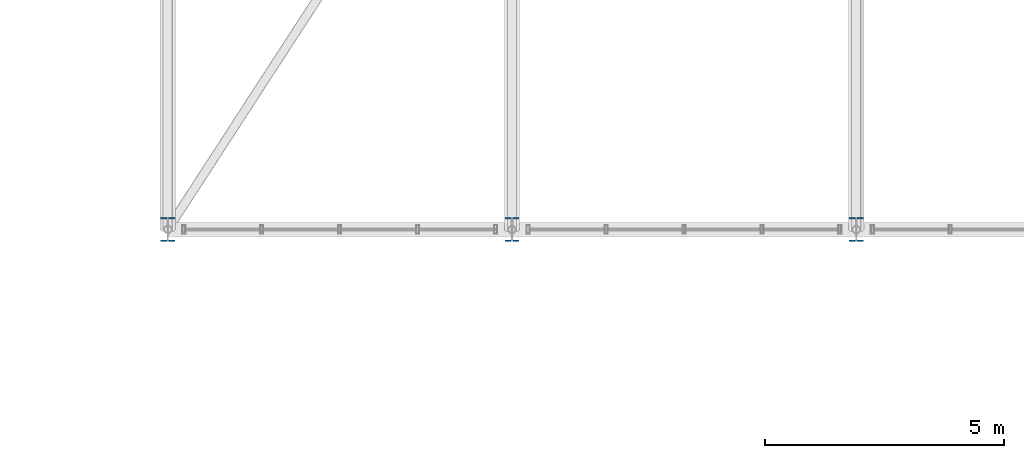
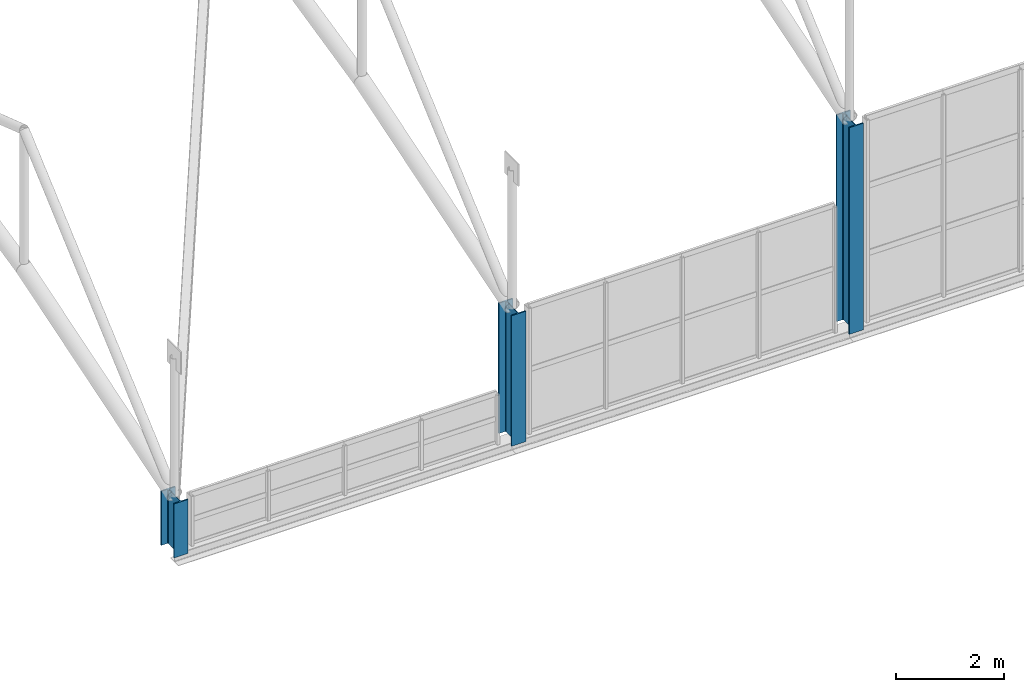
# One storey, part 2 of 153: 3 columns.
"""IFC4 building model written with IfcOpenShell, lengths in metres."""

import ifcopenshell
import ifcopenshell.guid

model = None  # the IFC model being written
_history = None  # IfcOwnerHistory: only IFC2X3 demands one
_inside = {}  # id of a spatial element -> (the spatial element, [elements in it])
_under = {}  # id of a project, library or spatial element -> (it, [spatial elements below it])
_declared = {}  # id of a project -> (the project, [libraries it declares])
_typed = {}  # id of a type object -> (the type object, [elements of that type])
_made_of = {}  # id of a material, layer set ... -> (it, [elements and type objects made of it])


def new_model(schema):
    """Start an empty IFC model of exactly this schema.

    Asked for "IFC4X3", IfcOpenShell would pick the latest addendum, in which some entities
    have other attributes; the version numbers below select the first issue.
    IFC2X3 requires an IfcOwnerHistory on every rooted entity: one is made here for all.
    """
    global model, _history
    if schema == "IFC4X3":
        model = ifcopenshell.file(schema_version=(4, 3, 0, 0))
    else:
        model = ifcopenshell.file(schema=schema)
    _inside.clear()
    _under.clear()
    _declared.clear()
    _typed.clear()
    _made_of.clear()
    _history = None
    if model.schema == "IFC2X3":
        org = make("IfcOrganization", Name="unknown")
        user = make(
            "IfcPersonAndOrganization",
            ThePerson=make("IfcPerson", FamilyName="unknown"),
            TheOrganization=org,
        )
        app = make(
            "IfcApplication",
            ApplicationDeveloper=org,
            Version="unknown",
            ApplicationFullName="unknown",
            ApplicationIdentifier="unknown",
        )
        _history = make(
            "IfcOwnerHistory",
            OwningUser=user,
            OwningApplication=app,
            ChangeAction="ADDED",
            CreationDate=0,
        )
    return model


def make(cls, **values):
    """One entity of the class cls with the attributes given. An attribute that is None is left unset."""
    return model.create_entity(
        cls, **{name: value for name, value in values.items() if value is not None}
    )


def rooted(cls, **values):
    """An entity with a GlobalId (a new one), such as an element, a storey or a relation."""
    return make(cls, GlobalId=ifcopenshell.guid.new(), OwnerHistory=_history, **values)


def si_unit(unit_type, name, prefix=None):
    """IfcSIUnit, for example si_unit("LENGTHUNIT", "METRE", prefix="MILLI")."""
    return make("IfcSIUnit", UnitType=unit_type, Prefix=prefix, Name=name)


def derived_unit(unit_type, elements):
    """IfcDerivedUnit: a product of units, each with its exponent."""
    return make(
        "IfcDerivedUnit",
        Elements=[
            make("IfcDerivedUnitElement", Unit=unit, Exponent=power)
            for unit, power in elements
        ],
        UnitType=unit_type,
    )


def assignment(units):
    """IfcUnitAssignment: the units of a project."""
    return None if units is None else make("IfcUnitAssignment", Units=units)


def point(xyz):
    """IfcCartesianPoint."""
    return None if xyz is None else make("IfcCartesianPoint", Coordinates=xyz)


def direction(xyz):
    """IfcDirection."""
    return None if xyz is None else make("IfcDirection", DirectionRatios=xyz)


def frame(location, z_axis=None, x_axis=None):
    """IfcAxis2Placement3D, a coordinate frame: its origin and axes. An axis left out is left unset."""
    return make(
        "IfcAxis2Placement3D",
        Location=point(location),
        Axis=direction(z_axis),
        RefDirection=direction(x_axis),
    )


def frame_2d(location, x_axis=None):
    """IfcAxis2Placement2D, a coordinate frame in the plane: its origin and x axis."""
    return make(
        "IfcAxis2Placement2D", Location=point(location), RefDirection=direction(x_axis)
    )


def origin():
    """The frame at (0, 0, 0) with its axes left unset."""
    return frame((0.0, 0.0, 0.0))


def origin_2d():
    """The frame at (0, 0) in the plane with its x axis left unset."""
    return frame_2d((0.0, 0.0))


def place(relative_to, where):
    """IfcLocalPlacement: puts the frame where relative to a parent placement (None: the world)."""
    return make(
        "IfcLocalPlacement", PlacementRelTo=relative_to, RelativePlacement=where
    )


def context(
    kind, dimensions, precision=None, world=None, true_north=None, identifier=None
):
    """IfcGeometricRepresentationContext, for example the 3D "Model" context."""
    return make(
        "IfcGeometricRepresentationContext",
        ContextIdentifier=identifier,
        ContextType=kind,
        CoordinateSpaceDimension=dimensions,
        Precision=precision,
        WorldCoordinateSystem=world,
        TrueNorth=true_north,
    )


def subcontext(parent, identifier, kind, view, scale=None):
    """IfcGeometricRepresentationSubContext, for example "Body" below "Model"."""
    return make(
        "IfcGeometricRepresentationSubContext",
        ContextIdentifier=identifier,
        ContextType=kind,
        ParentContext=parent,
        TargetScale=scale,
        TargetView=view,
    )


def project(units=None, contexts=None):
    """IfcProject with its units and contexts."""
    return rooted(
        "IfcProject",
        Name="project",
        RepresentationContexts=contexts,
        UnitsInContext=assignment(units),
    )


def spatial(cls, under=None, at=None, **own):
    """A site, building, storey or space (cls), placed at a placement, below another one or the project."""
    s = rooted(cls, ObjectPlacement=at, **own)
    if under is not None:
        _under.setdefault(under.id(), (under, []))[1].append(s)
    return s


def profile(cls, at=None, kind="AREA", **sizes):
    """A parametric profile (cls). Its sizes go by their IFC names, for example OverallWidth=200.0."""
    return make(cls, ProfileType=kind, Position=at, **sizes)


def i_section(**sizes):
    """IfcIShapeProfileDef."""
    return profile("IfcIShapeProfileDef", **sizes)


def extrude(swept, where, along, depth):
    """IfcExtrudedAreaSolid: the profile swept, set in the frame where, extruded along a direction by depth."""
    return make(
        "IfcExtrudedAreaSolid",
        SweptArea=swept,
        Position=where,
        ExtrudedDirection=direction(along),
        Depth=depth,
    )


def shape(context_of_items, identifier, shape_type, items):
    """IfcShapeRepresentation: the items that make up one representation, for example the "Body"."""
    return make(
        "IfcShapeRepresentation",
        ContextOfItems=context_of_items,
        RepresentationIdentifier=identifier,
        RepresentationType=shape_type,
        Items=items,
    )


def material(Name=None, Category=None):
    """IfcMaterial."""
    return make("IfcMaterial", Name=Name, Category=Category)


def material_profile(
    of_material, cross_section, Name=None, Category=None, Priority=None
):
    """IfcMaterialProfile: a cross section and its material."""
    return make(
        "IfcMaterialProfile",
        Name=Name,
        Material=of_material,
        Profile=cross_section,
        Priority=Priority,
        Category=Category,
    )


def profile_set(profiles, Name=None, composite=None):
    """IfcMaterialProfileSet."""
    return make(
        "IfcMaterialProfileSet",
        Name=Name,
        MaterialProfiles=profiles,
        CompositeProfile=composite,
    )


def made_of(thing, what):
    """Note that an element or type object is made of a material, layer set ...; save() writes the relation."""
    if what is not None:
        _made_of.setdefault(what.id(), (what, []))[1].append(thing)
    return thing


def type_object(cls, material=None, **own):
    """A type object (cls), such as IfcWallType, which elements share."""
    return made_of(rooted(cls, **own), material)


def element(
    cls,
    number,
    at=None,
    inside=None,
    cuts=None,
    type_object=None,
    material=None,
    context=None,
    identifier="Body",
    shape_type=None,
    held_by="IfcProductDefinitionShape",
    body=None,
    shapes=None,
    **own,
):
    """One element of the class cls, such as IfcWall. Its Tag is "e" and its number.

    at: its placement. inside: the storey or other place that contains it. cuts: it is an
    opening in that element (IfcRelVoidsElement). A single representation is given by context,
    identifier, shape_type and body (its items); several are given by shapes. held_by: the class
    of the entity that holds the representations. save() writes the other relations.
    """
    e = rooted(cls, Tag="e%d" % number, ObjectPlacement=at, **own)
    if body is not None:
        shapes = [shape(context, identifier, shape_type, body)]
    if shapes is not None:
        e.Representation = make(held_by, Representations=shapes)
    if inside is not None:
        _inside.setdefault(inside.id(), (inside, []))[1].append(e)
    if cuts is not None:
        rooted(
            "IfcRelVoidsElement", RelatingBuildingElement=cuts, RelatedOpeningElement=e
        )
    if type_object is not None:
        _typed.setdefault(type_object.id(), (type_object, []))[1].append(e)
    return made_of(e, material)


def aggregate(whole, parts):
    """IfcRelAggregates: a whole, such as a stair, and the parts it consists of."""
    return rooted("IfcRelAggregates", RelatingObject=whole, RelatedObjects=parts)


def save(model, path):
    """Write the relations noted so far, then the file.

    IfcRelAggregates (storeys below a building ...), IfcRelContainedInSpatialStructure (elements
    in a storey), IfcRelDefinesByType, IfcRelAssociatesMaterial and IfcRelDeclares: one each for
    every whole, place, type object, material and project.
    """
    for whole, parts in _under.values():
        aggregate(whole, parts)
    for where, things in _inside.values():
        rooted(
            "IfcRelContainedInSpatialStructure",
            RelatedElements=things,
            RelatingStructure=where,
        )
    for kind, things in _typed.values():
        rooted("IfcRelDefinesByType", RelatedObjects=things, RelatingType=kind)
    for what, things in _made_of.values():
        rooted("IfcRelAssociatesMaterial", RelatedObjects=things, RelatingMaterial=what)
    for by, libraries in _declared.values():
        rooted("IfcRelDeclares", RelatingContext=by, RelatedDefinitions=libraries)
    model.write(path)


model = new_model("IFC4")

# Units and contexts
model_context = context("Model", 3, precision=1e-05, world=origin(), true_north=direction((0.0, 1.0)))
body_context = subcontext(model_context, "Body", "Model", "MODEL_VIEW")
ifc_project = project(units=[si_unit("LENGTHUNIT", "METRE"), si_unit("AREAUNIT", "SQUARE_METRE"), si_unit("VOLUMEUNIT", "CUBIC_METRE"), si_unit("PLANEANGLEUNIT", "RADIAN"), si_unit("MASSUNIT", "GRAM", prefix="KILO"), derived_unit("THERMALTRANSMITTANCEUNIT", [(si_unit("POWERUNIT", "WATT"), 1), (si_unit("LENGTHUNIT", "METRE"), -2), (si_unit("THERMODYNAMICTEMPERATUREUNIT", "KELVIN"), -1)])], contexts=[model_context])

# Site, building, storey
site_placement = place(None, origin())
site = spatial("IfcSite", under=ifc_project, at=site_placement, CompositionType="ELEMENT")
building_placement = place(site_placement, origin())
building = spatial("IfcBuilding", under=site, at=building_placement, Name="Keldorne Ridge Multi-Sports Centre", CompositionType="ELEMENT")
storey_placement = place(building_placement, frame((0.0, 0.0, 9.60009765625)))
storey = spatial("IfcBuildingStorey", under=building, at=storey_placement, Name="L02", CompositionType="ELEMENT", Elevation=9.60009765625)

# Columns
ifc_material = material(Name="Steel S355", Category="steel")
ifc_material_profile = material_profile(ifc_material, i_section(OverallWidth=0.300048828125, OverallDepth=0.5, WebThickness=0.014404296875, FlangeThickness=0.028076171875, FilletRadius=0.027099609375, at=origin_2d()), Name="HEB 500")
ifc_profile_set = profile_set([ifc_material_profile], Name="Steel S355")
column_type = type_object("IfcColumnType", Name="COL-C-05", PredefinedType="COLUMN", material=ifc_profile_set)
column_1_placement = place(storey_placement, frame((49.199951171875, 9.60009765625, 0.0), z_axis=(0.0, 0.0, 1.0), x_axis=(1.0, 0.0, 0.0)))
element("IfcColumn", 1, at=column_1_placement, inside=storey, type_object=column_type, Name="Structural column V1-HALL-S-07 on L02", PredefinedType="COLUMN", context=body_context, shape_type="SweptSolid", body=[
    extrude(i_section(OverallWidth=0.300048828125, OverallDepth=0.5, WebThickness=0.014404296875, FlangeThickness=0.028076171875, FilletRadius=0.027099609375, at=origin_2d()), origin(), (0.0, 0.0, 1.0), 1.219970703125),
])
column_2_placement = place(storey_placement, frame((56.39990234375, 9.60009765625, 0.0), z_axis=(0.0, 0.0, 1.0), x_axis=(1.0, 0.0, 0.0)))
element("IfcColumn", 2, at=column_2_placement, inside=storey, type_object=column_type, Name="Structural column V1-HALL-S-08 on L02", PredefinedType="COLUMN", context=body_context, shape_type="SweptSolid", body=[
    extrude(i_section(OverallWidth=0.300048828125, OverallDepth=0.5, WebThickness=0.014404296875, FlangeThickness=0.028076171875, FilletRadius=0.027099609375, at=origin_2d()), origin(), (0.0, 0.0, 1.0), 2.93994140625),
])
column_3_placement = place(storey_placement, frame((63.60009765625, 9.60009765625, 0.0), z_axis=(0.0, 0.0, 1.0), x_axis=(1.0, 0.0, 0.0)))
element("IfcColumn", 3, at=column_3_placement, inside=storey, type_object=column_type, Name="Structural column V1-HALL-S-09 on L02", PredefinedType="COLUMN", context=body_context, shape_type="SweptSolid", body=[
    extrude(i_section(OverallWidth=0.300048828125, OverallDepth=0.5, WebThickness=0.014404296875, FlangeThickness=0.028076171875, FilletRadius=0.027099609375, at=origin_2d()), origin(), (0.0, 0.0, 1.0), 4.659912109375),
])

save(model, "model.ifc")
